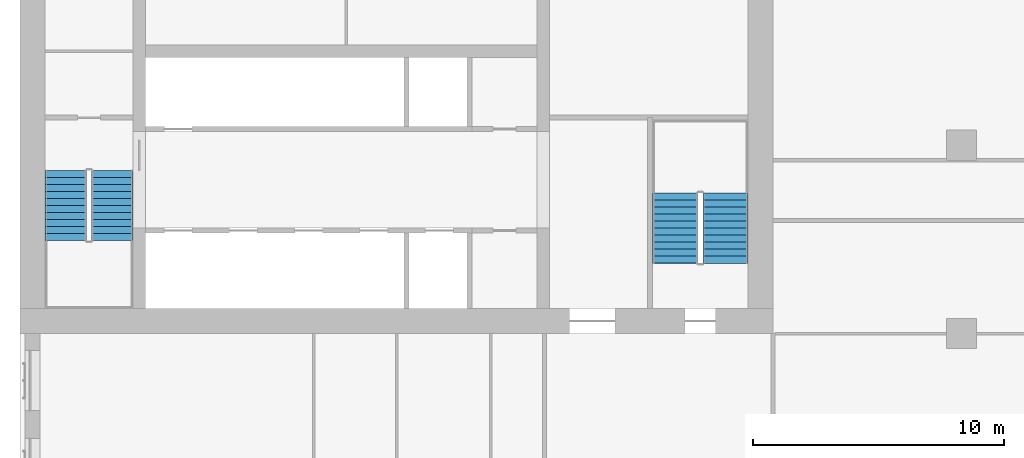
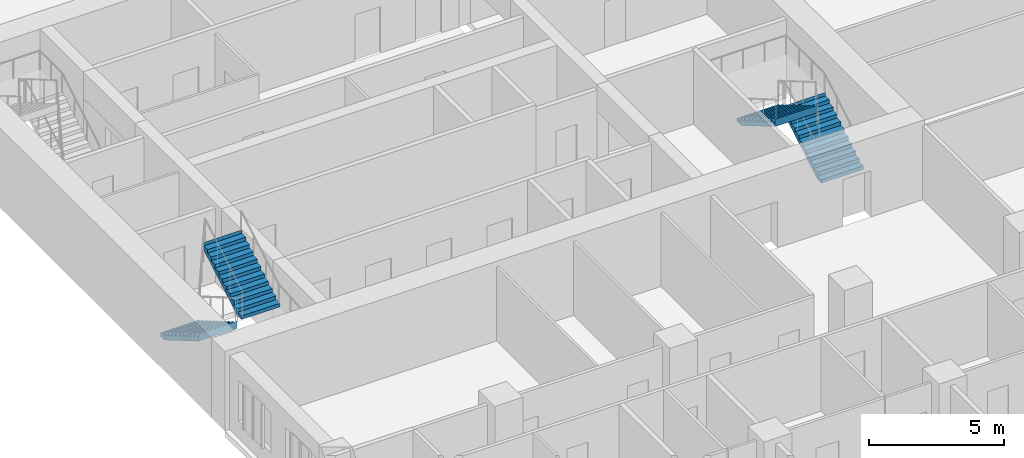
# One storey, part 12 of 14: 4 stair flights, 2 elements without a shape of their own.
"""IFC4 building model written with IfcOpenShell, lengths in metres."""

from ifc_helpers import new_model, si_unit, direction, frame, origin, place, context, subcontext, project, spatial, polyline, outline, extrude, material, type_object, element, aggregate, save


model = new_model("IFC4")

# Units and contexts
model_context = context("Model", 3, precision=1e-05, world=origin(), true_north=direction((0.0, 1.0)))
body_context = subcontext(model_context, "Body", "Model", "MODEL_VIEW")
ifc_project = project(units=[si_unit("LENGTHUNIT", "METRE"), si_unit("AREAUNIT", "SQUARE_METRE"), si_unit("VOLUMEUNIT", "CUBIC_METRE"), si_unit("PLANEANGLEUNIT", "RADIAN"), si_unit("MASSUNIT", "GRAM", prefix="KILO")], contexts=[model_context])

# Site, building, storey
site_placement = place(None, origin())
site = spatial("IfcSite", under=ifc_project, at=site_placement, CompositionType="ELEMENT")
building_placement = place(site_placement, origin())
building = spatial("IfcBuilding", under=site, at=building_placement, Name="Tamorin Gate", CompositionType="ELEMENT")
storey_placement = place(building_placement, frame((0.0, 0.0, 44.800048828125)))
storey = spatial("IfcBuildingStorey", under=building, at=storey_placement, Name="L09", CompositionType="ELEMENT", Elevation=44.800048828125)

# Stair, stair flights
ifc_material = material(Name="Concrete C40/50", Category="concrete")
stair_type = type_object("IfcStairType", Name="Exit stair", PredefinedType="HALF_TURN_STAIR", material=ifc_material)
stair_1_placement = place(storey_placement, origin())
stair_1 = element("IfcStair", 1, at=stair_1_placement, inside=storey, type_object=stair_type, Name="L09 stair ST1", PredefinedType="HALF_TURN_STAIR")
stair_flight_type = type_object("IfcStairFlightType", Name="Exit stair flight", PredefinedType="STRAIGHT", material=ifc_material)
stair_flight_1_placement = place(storey_placement, frame((31.824951171875, 66.5, 0.0), z_axis=(0.0, 0.0, 1.0), x_axis=(0.0, -1.0, 0.0)))
stair_flight_1 = element("IfcStairFlight", 2, at=stair_flight_1_placement, type_object=stair_flight_type, Name="ST1 flight 1", NumberOfRisers=11, NumberOfTreads=10, PredefinedType="STRAIGHT", RiserHeight=0.163636364, TreadLength=0.28, context=body_context, shape_type="SweptSolid", body=[
    extrude(outline(polyline([(-0.00048828125, 0.0), (-0.00048828125, 0.001708984375), (-0.00048828125, 0.003173828125), (-0.00048828125, 0.0048828125), (-0.00048828125, 0.006591796875), (-0.00048828125, 0.008056640625), (-0.00048828125, 0.009765625), (-0.00048828125, 0.01123046875), (-0.00048828125, 0.012939453125), (-0.00048828125, 0.0146484375), (-0.00048828125, 0.01611328125), (-0.00048828125, 0.017822265625), (-0.00048828125, 0.01953125), (-0.00048828125, 0.02099609375), (-0.00048828125, 0.022705078125), (-0.00048828125, 0.0244140625), (-0.00048828125, 0.02587890625), (-0.00048828125, 0.027587890625), (-0.00048828125, 0.029052734375), (-0.00048828125, 0.03076171875), (-0.00048828125, 0.032470703125), (-0.00048828125, 0.033935546875), (-0.00048828125, 0.03564453125), (-0.00048828125, 0.037353515625), (-0.00048828125, 0.038818359375), (-0.00048828125, 0.04052734375), (-0.00048828125, 0.042236328125), (-0.00048828125, 0.043701171875), (-0.00048828125, 0.04541015625), (-0.00048828125, 0.046875), (-0.00048828125, 0.048583984375), (-0.00048828125, 0.05029296875), (-0.00048828125, 0.0517578125), (-0.00048828125, 0.053466796875), (-0.00048828125, 0.05517578125), (-0.00048828125, 0.056640625), (-0.00048828125, 0.058349609375), (-0.00048828125, 0.06005859375), (-0.00048828125, 0.0615234375), (-0.00048828125, 0.063232421875), (-0.00048828125, 0.064697265625), (-0.00048828125, 0.06640625), (-0.00048828125, 0.068115234375), (-0.00048828125, 0.069580078125), (-0.00048828125, 0.0712890625), (-0.00048828125, 0.072998046875), (-0.00048828125, 0.074462890625), (-0.00048828125, 0.076171875), (-0.00048828125, 0.077880859375), (-0.00048828125, 0.079345703125), (-0.00048828125, 0.0810546875), (-0.00048828125, 0.08251953125), (-0.00048828125, 0.084228515625), (-0.00048828125, 0.0859375), (-0.00048828125, 0.08740234375), (-0.00048828125, 0.089111328125), (-0.00048828125, 0.0908203125), (-0.00048828125, 0.09228515625), (-0.00048828125, 0.093994140625), (-0.00048828125, 0.095703125), (-0.00048828125, 0.09716796875), (-0.00048828125, 0.098876953125), (-0.00048828125, 0.100341796875), (-0.00048828125, 0.10205078125), (-0.00048828125, 0.103759765625), (-0.00048828125, 0.105224609375), (-0.00048828125, 0.10693359375), (-0.00048828125, 0.108642578125), (-0.00048828125, 0.110107421875), (-0.00048828125, 0.11181640625), (-0.00048828125, 0.113525390625), (-0.00048828125, 0.114990234375), (-0.00048828125, 0.11669921875), (-0.00048828125, 0.1181640625), (-0.00048828125, 0.119873046875), (-0.00048828125, 0.12158203125), (-0.00048828125, 0.123046875), (-0.00048828125, 0.124755859375), (-0.00048828125, 0.12646484375), (-0.00048828125, 0.1279296875), (-0.00048828125, 0.129638671875), (-0.00048828125, 0.13134765625), (-0.00048828125, 0.1328125), (-0.00048828125, 0.134521484375), (-0.00048828125, 0.135986328125), (-0.00048828125, 0.1376953125), (-0.00048828125, 0.139404296875), (-0.00048828125, 0.140869140625), (-0.00048828125, 0.142578125), (-0.00048828125, 0.144287109375), (-0.00048828125, 0.145751953125), (-0.00048828125, 0.1474609375), (-0.00048828125, 0.149169921875), (-0.00048828125, 0.150634765625), (-0.00048828125, 0.15234375), (-0.00048828125, 0.15380859375), (-0.00048828125, 0.155517578125), (-0.00048828125, 0.1572265625), (-0.00048828125, 0.15869140625), (-0.00048828125, 0.160400390625), (-0.00048828125, 0.162109375), (-0.00048828125, 0.16357421875), (0.280029296875, 0.16357421875), (0.280029296875, 0.327392578125), (0.56005859375, 0.327392578125), (0.56005859375, 0.490966796875), (0.840087890625, 0.490966796875), (0.840087890625, 0.654541015625), (1.1201171875, 0.654541015625), (1.1201171875, 0.818115234375), (1.39990234375, 0.818115234375), (1.39990234375, 0.98193359375), (1.679931640625, 0.98193359375), (1.679931640625, 1.1455078125), (1.9599609375, 1.1455078125), (1.9599609375, 1.30908203125), (2.239990234375, 1.30908203125), (2.239990234375, 1.47265625), (2.52001953125, 1.47265625), (2.52001953125, 1.636474609375), (2.800048828125, 1.636474609375), (2.800048828125, 1.800048828125), (2.800537109375, 1.800048828125), (2.800537109375, 1.796630859375), (2.800537109375, 1.793212890625), (2.800537109375, 1.7900390625), (2.800537109375, 1.78662109375), (2.800537109375, 1.783203125), (2.800537109375, 1.780029296875), (2.800537109375, 1.776611328125), (2.800537109375, 1.773193359375), (2.800537109375, 1.77001953125), (2.800537109375, 1.7666015625), (2.800537109375, 1.76318359375), (2.800537109375, 1.760009765625), (2.800537109375, 1.756591796875), (2.800537109375, 1.753173828125), (2.800537109375, 1.75), (2.800537109375, 1.74658203125), (2.800537109375, 1.7431640625), (2.800537109375, 1.739990234375), (2.800537109375, 1.736572265625), (2.800537109375, 1.733154296875), (2.800537109375, 1.72998046875), (2.800537109375, 1.7265625), (2.800537109375, 1.72314453125), (2.800537109375, 1.719970703125), (2.800537109375, 1.716552734375), (2.800537109375, 1.713134765625), (2.800537109375, 1.7099609375), (2.800537109375, 1.70654296875), (2.800537109375, 1.703125), (2.800537109375, 1.69970703125), (2.800537109375, 1.696533203125), (2.800537109375, 1.693115234375), (2.800537109375, 1.689697265625), (2.800537109375, 1.6865234375), (2.800537109375, 1.68310546875), (2.800537109375, 1.6796875), (2.800537109375, 1.676513671875), (2.800537109375, 1.673095703125), (2.800537109375, 1.669677734375), (2.800537109375, 1.66650390625), (2.800537109375, 1.6630859375), (2.800537109375, 1.65966796875), (2.800537109375, 1.656494140625), (2.800537109375, 1.653076171875), (2.800537109375, 1.649658203125), (2.800537109375, 1.646484375), (2.800537109375, 1.64306640625), (2.800537109375, 1.6396484375), (2.800537109375, 1.636474609375), (2.800537109375, 1.633056640625), (2.800537109375, 1.629638671875), (2.800537109375, 1.62646484375), (2.800537109375, 1.623046875), (2.800537109375, 1.61962890625), (2.800537109375, 1.616455078125), (2.800537109375, 1.613037109375), (2.800537109375, 1.609619140625), (2.800537109375, 1.6064453125), (2.800537109375, 1.60302734375), (2.800537109375, 1.599609375), (2.800537109375, 1.59619140625), (2.800537109375, 1.593017578125), (2.800537109375, 1.589599609375), (2.800537109375, 1.586181640625), (2.800537109375, 1.5830078125), (2.800537109375, 1.57958984375), (2.800537109375, 1.576171875), (2.800537109375, 1.572998046875), (2.800537109375, 1.569580078125), (2.800537109375, 1.566162109375), (2.800537109375, 1.56298828125), (2.800537109375, 1.5595703125), (2.800537109375, 1.55615234375), (2.800537109375, 1.552978515625), (2.800537109375, 1.549560546875), (2.800537109375, 1.546142578125), (2.800537109375, 1.54296875), (2.800537109375, 1.53955078125), (2.800537109375, 1.5361328125), (2.800537109375, 1.532958984375), (2.800537109375, 1.529541015625), (2.800537109375, 1.526123046875), (2.800537109375, 1.52294921875), (2.800537109375, 1.51953125), (2.800537109375, 1.51611328125), (2.800537109375, 1.512939453125), (2.800537109375, 1.509521484375), (2.800537109375, 1.506103515625), (2.800537109375, 1.5029296875), (2.800537109375, 1.49951171875), (2.800537109375, 1.49609375), (2.800537109375, 1.49267578125), (2.800537109375, 1.489501953125), (2.800537109375, 1.486083984375), (2.800537109375, 1.482666015625), (2.800537109375, 1.4794921875), (2.800537109375, 1.47607421875), (2.800537109375, 1.47265625), (2.800537109375, 1.469482421875), (2.800537109375, 1.466064453125), (2.800537109375, 1.462646484375), (2.800048828125, 1.462646484375), (0.297119140625, 0.0), (-0.00048828125, 0.0)])), frame((0.0, 0.824951171875, 0.0), z_axis=(0.0, -1.0, 0.0), x_axis=(1.0, 0.0, 0.0)), (0.0, 0.0, 1.0), 1.64990234375),
])
stair_flight_2_placement = place(storey_placement, frame((33.675048828125, 63.699951171875, 1.800048828125), z_axis=(0.0, 0.0, 1.0), x_axis=(0.0, 1.0, 0.0)))
stair_flight_2 = element("IfcStairFlight", 3, at=stair_flight_2_placement, type_object=stair_flight_type, Name="ST1 flight 2", NumberOfRisers=11, NumberOfTreads=10, PredefinedType="STRAIGHT", RiserHeight=0.163636364, TreadLength=0.28, context=body_context, shape_type="SweptSolid", body=[
    extrude(outline(polyline([(-0.00048828125, 0.0), (-0.00048828125, 0.001708984375), (-0.00048828125, 0.003173828125), (-0.00048828125, 0.0048828125), (-0.00048828125, 0.006591796875), (-0.00048828125, 0.008056640625), (-0.00048828125, 0.009765625), (-0.00048828125, 0.01123046875), (-0.00048828125, 0.012939453125), (-0.00048828125, 0.0146484375), (-0.00048828125, 0.01611328125), (-0.00048828125, 0.017822265625), (-0.00048828125, 0.01953125), (-0.00048828125, 0.02099609375), (-0.00048828125, 0.022705078125), (-0.00048828125, 0.0244140625), (-0.00048828125, 0.02587890625), (-0.00048828125, 0.027587890625), (-0.00048828125, 0.029052734375), (-0.00048828125, 0.03076171875), (-0.00048828125, 0.032470703125), (-0.00048828125, 0.033935546875), (-0.00048828125, 0.03564453125), (-0.00048828125, 0.037353515625), (-0.00048828125, 0.038818359375), (-0.00048828125, 0.04052734375), (-0.00048828125, 0.042236328125), (-0.00048828125, 0.043701171875), (-0.00048828125, 0.04541015625), (-0.00048828125, 0.046875), (-0.00048828125, 0.048583984375), (-0.00048828125, 0.05029296875), (-0.00048828125, 0.0517578125), (-0.00048828125, 0.053466796875), (-0.00048828125, 0.05517578125), (-0.00048828125, 0.056640625), (-0.00048828125, 0.058349609375), (-0.00048828125, 0.06005859375), (-0.00048828125, 0.0615234375), (-0.00048828125, 0.063232421875), (-0.00048828125, 0.064697265625), (-0.00048828125, 0.06640625), (-0.00048828125, 0.068115234375), (-0.00048828125, 0.069580078125), (-0.00048828125, 0.0712890625), (-0.00048828125, 0.072998046875), (-0.00048828125, 0.074462890625), (-0.00048828125, 0.076171875), (-0.00048828125, 0.077880859375), (-0.00048828125, 0.079345703125), (-0.00048828125, 0.0810546875), (-0.00048828125, 0.08251953125), (-0.00048828125, 0.084228515625), (-0.00048828125, 0.0859375), (-0.00048828125, 0.08740234375), (-0.00048828125, 0.089111328125), (-0.00048828125, 0.0908203125), (-0.00048828125, 0.09228515625), (-0.00048828125, 0.093994140625), (-0.00048828125, 0.095703125), (-0.00048828125, 0.09716796875), (-0.00048828125, 0.098876953125), (-0.00048828125, 0.100341796875), (-0.00048828125, 0.10205078125), (-0.00048828125, 0.103759765625), (-0.00048828125, 0.105224609375), (-0.00048828125, 0.10693359375), (-0.00048828125, 0.108642578125), (-0.00048828125, 0.110107421875), (-0.00048828125, 0.11181640625), (-0.00048828125, 0.113525390625), (-0.00048828125, 0.114990234375), (-0.00048828125, 0.11669921875), (-0.00048828125, 0.1181640625), (-0.00048828125, 0.119873046875), (-0.00048828125, 0.12158203125), (-0.00048828125, 0.123046875), (-0.00048828125, 0.124755859375), (-0.00048828125, 0.12646484375), (-0.00048828125, 0.1279296875), (-0.00048828125, 0.129638671875), (-0.00048828125, 0.13134765625), (-0.00048828125, 0.1328125), (-0.00048828125, 0.134521484375), (-0.00048828125, 0.135986328125), (-0.00048828125, 0.1376953125), (-0.00048828125, 0.139404296875), (-0.00048828125, 0.140869140625), (-0.00048828125, 0.142578125), (-0.00048828125, 0.144287109375), (-0.00048828125, 0.145751953125), (-0.00048828125, 0.1474609375), (-0.00048828125, 0.149169921875), (-0.00048828125, 0.150634765625), (-0.00048828125, 0.15234375), (-0.00048828125, 0.15380859375), (-0.00048828125, 0.155517578125), (-0.00048828125, 0.1572265625), (-0.00048828125, 0.15869140625), (-0.00048828125, 0.160400390625), (-0.00048828125, 0.162109375), (-0.00048828125, 0.16357421875), (0.280029296875, 0.16357421875), (0.280029296875, 0.327392578125), (0.56005859375, 0.327392578125), (0.56005859375, 0.490966796875), (0.840087890625, 0.490966796875), (0.840087890625, 0.654541015625), (1.1201171875, 0.654541015625), (1.1201171875, 0.818115234375), (1.39990234375, 0.818115234375), (1.39990234375, 0.98193359375), (1.679931640625, 0.98193359375), (1.679931640625, 1.1455078125), (1.9599609375, 1.1455078125), (1.9599609375, 1.30908203125), (2.239990234375, 1.30908203125), (2.239990234375, 1.47265625), (2.52001953125, 1.47265625), (2.52001953125, 1.636474609375), (2.800048828125, 1.636474609375), (2.800048828125, 1.800048828125), (2.800537109375, 1.800048828125), (2.800537109375, 1.796630859375), (2.800537109375, 1.793212890625), (2.800537109375, 1.7900390625), (2.800537109375, 1.78662109375), (2.800537109375, 1.783203125), (2.800537109375, 1.780029296875), (2.800537109375, 1.776611328125), (2.800537109375, 1.773193359375), (2.800537109375, 1.77001953125), (2.800537109375, 1.7666015625), (2.800537109375, 1.76318359375), (2.800537109375, 1.760009765625), (2.800537109375, 1.756591796875), (2.800537109375, 1.753173828125), (2.800537109375, 1.75), (2.800537109375, 1.74658203125), (2.800537109375, 1.7431640625), (2.800537109375, 1.739990234375), (2.800537109375, 1.736572265625), (2.800537109375, 1.733154296875), (2.800537109375, 1.72998046875), (2.800537109375, 1.7265625), (2.800537109375, 1.72314453125), (2.800537109375, 1.719970703125), (2.800537109375, 1.716552734375), (2.800537109375, 1.713134765625), (2.800537109375, 1.7099609375), (2.800537109375, 1.70654296875), (2.800537109375, 1.703125), (2.800537109375, 1.69970703125), (2.800537109375, 1.696533203125), (2.800537109375, 1.693115234375), (2.800537109375, 1.689697265625), (2.800537109375, 1.6865234375), (2.800537109375, 1.68310546875), (2.800537109375, 1.6796875), (2.800537109375, 1.676513671875), (2.800537109375, 1.673095703125), (2.800537109375, 1.669677734375), (2.800537109375, 1.66650390625), (2.800537109375, 1.6630859375), (2.800537109375, 1.65966796875), (2.800537109375, 1.656494140625), (2.800537109375, 1.653076171875), (2.800537109375, 1.649658203125), (2.800537109375, 1.646484375), (2.800537109375, 1.64306640625), (2.800537109375, 1.6396484375), (2.800537109375, 1.636474609375), (2.800537109375, 1.633056640625), (2.800537109375, 1.629638671875), (2.800537109375, 1.62646484375), (2.800537109375, 1.623046875), (2.800537109375, 1.61962890625), (2.800537109375, 1.616455078125), (2.800537109375, 1.613037109375), (2.800537109375, 1.609619140625), (2.800537109375, 1.6064453125), (2.800537109375, 1.60302734375), (2.800537109375, 1.599609375), (2.800537109375, 1.59619140625), (2.800537109375, 1.593017578125), (2.800537109375, 1.589599609375), (2.800537109375, 1.586181640625), (2.800537109375, 1.5830078125), (2.800537109375, 1.57958984375), (2.800537109375, 1.576171875), (2.800537109375, 1.572998046875), (2.800537109375, 1.569580078125), (2.800537109375, 1.566162109375), (2.800537109375, 1.56298828125), (2.800537109375, 1.5595703125), (2.800537109375, 1.55615234375), (2.800537109375, 1.552978515625), (2.800537109375, 1.549560546875), (2.800537109375, 1.546142578125), (2.800537109375, 1.54296875), (2.800537109375, 1.53955078125), (2.800537109375, 1.5361328125), (2.800537109375, 1.532958984375), (2.800537109375, 1.529541015625), (2.800537109375, 1.526123046875), (2.800537109375, 1.52294921875), (2.800537109375, 1.51953125), (2.800537109375, 1.51611328125), (2.800537109375, 1.512939453125), (2.800537109375, 1.509521484375), (2.800537109375, 1.506103515625), (2.800537109375, 1.5029296875), (2.800537109375, 1.49951171875), (2.800537109375, 1.49609375), (2.800537109375, 1.49267578125), (2.800537109375, 1.489501953125), (2.800537109375, 1.486083984375), (2.800537109375, 1.482666015625), (2.800537109375, 1.4794921875), (2.800537109375, 1.47607421875), (2.800537109375, 1.47265625), (2.800537109375, 1.469482421875), (2.800537109375, 1.466064453125), (2.800537109375, 1.462646484375), (2.800048828125, 1.462646484375), (0.297119140625, 0.0), (-0.00048828125, 0.0)])), frame((0.0, 0.824951171875, 0.0), z_axis=(0.0, -1.0, 0.0), x_axis=(1.0, 0.0, 0.0)), (0.0, 0.0, 1.0), 1.64990234375),
])
aggregate(stair_1, [stair_flight_1, stair_flight_2])

stair_2_placement = place(storey_placement, origin())
stair_2 = element("IfcStair", 4, at=stair_2_placement, inside=storey, type_object=stair_type, Name="L09 stair ST3", PredefinedType="HALF_TURN_STAIR")
stair_flight_3_placement = place(storey_placement, frame((58.10009765625, 62.800048828125, 0.0), z_axis=(0.0, 0.0, 1.0), x_axis=(0.0, 1.0, 0.0)))
stair_flight_3 = element("IfcStairFlight", 5, at=stair_flight_3_placement, type_object=stair_flight_type, Name="ST3 flight 1", NumberOfRisers=11, NumberOfTreads=10, PredefinedType="STRAIGHT", RiserHeight=0.163636364, TreadLength=0.28, context=body_context, shape_type="SweptSolid", body=[
    extrude(outline(polyline([(-0.00048828125, 0.0), (-0.00048828125, 0.001708984375), (-0.00048828125, 0.003173828125), (-0.00048828125, 0.0048828125), (-0.00048828125, 0.006591796875), (-0.00048828125, 0.008056640625), (-0.00048828125, 0.009765625), (-0.00048828125, 0.01123046875), (-0.00048828125, 0.012939453125), (-0.00048828125, 0.0146484375), (-0.00048828125, 0.01611328125), (-0.00048828125, 0.017822265625), (-0.00048828125, 0.01953125), (-0.00048828125, 0.02099609375), (-0.00048828125, 0.022705078125), (-0.00048828125, 0.0244140625), (-0.00048828125, 0.02587890625), (-0.00048828125, 0.027587890625), (-0.00048828125, 0.029052734375), (-0.00048828125, 0.03076171875), (-0.00048828125, 0.032470703125), (-0.00048828125, 0.033935546875), (-0.00048828125, 0.03564453125), (-0.00048828125, 0.037353515625), (-0.00048828125, 0.038818359375), (-0.00048828125, 0.04052734375), (-0.00048828125, 0.042236328125), (-0.00048828125, 0.043701171875), (-0.00048828125, 0.04541015625), (-0.00048828125, 0.046875), (-0.00048828125, 0.048583984375), (-0.00048828125, 0.05029296875), (-0.00048828125, 0.0517578125), (-0.00048828125, 0.053466796875), (-0.00048828125, 0.05517578125), (-0.00048828125, 0.056640625), (-0.00048828125, 0.058349609375), (-0.00048828125, 0.06005859375), (-0.00048828125, 0.0615234375), (-0.00048828125, 0.063232421875), (-0.00048828125, 0.064697265625), (-0.00048828125, 0.06640625), (-0.00048828125, 0.068115234375), (-0.00048828125, 0.069580078125), (-0.00048828125, 0.0712890625), (-0.00048828125, 0.072998046875), (-0.00048828125, 0.074462890625), (-0.00048828125, 0.076171875), (-0.00048828125, 0.077880859375), (-0.00048828125, 0.079345703125), (-0.00048828125, 0.0810546875), (-0.00048828125, 0.08251953125), (-0.00048828125, 0.084228515625), (-0.00048828125, 0.0859375), (-0.00048828125, 0.08740234375), (-0.00048828125, 0.089111328125), (-0.00048828125, 0.0908203125), (-0.00048828125, 0.09228515625), (-0.00048828125, 0.093994140625), (-0.00048828125, 0.095703125), (-0.00048828125, 0.09716796875), (-0.00048828125, 0.098876953125), (-0.00048828125, 0.100341796875), (-0.00048828125, 0.10205078125), (-0.00048828125, 0.103759765625), (-0.00048828125, 0.105224609375), (-0.00048828125, 0.10693359375), (-0.00048828125, 0.108642578125), (-0.00048828125, 0.110107421875), (-0.00048828125, 0.11181640625), (-0.00048828125, 0.113525390625), (-0.00048828125, 0.114990234375), (-0.00048828125, 0.11669921875), (-0.00048828125, 0.1181640625), (-0.00048828125, 0.119873046875), (-0.00048828125, 0.12158203125), (-0.00048828125, 0.123046875), (-0.00048828125, 0.124755859375), (-0.00048828125, 0.12646484375), (-0.00048828125, 0.1279296875), (-0.00048828125, 0.129638671875), (-0.00048828125, 0.13134765625), (-0.00048828125, 0.1328125), (-0.00048828125, 0.134521484375), (-0.00048828125, 0.135986328125), (-0.00048828125, 0.1376953125), (-0.00048828125, 0.139404296875), (-0.00048828125, 0.140869140625), (-0.00048828125, 0.142578125), (-0.00048828125, 0.144287109375), (-0.00048828125, 0.145751953125), (-0.00048828125, 0.1474609375), (-0.00048828125, 0.149169921875), (-0.00048828125, 0.150634765625), (-0.00048828125, 0.15234375), (-0.00048828125, 0.15380859375), (-0.00048828125, 0.155517578125), (-0.00048828125, 0.1572265625), (-0.00048828125, 0.15869140625), (-0.00048828125, 0.160400390625), (-0.00048828125, 0.162109375), (-0.00048828125, 0.16357421875), (0.280029296875, 0.16357421875), (0.280029296875, 0.327392578125), (0.56005859375, 0.327392578125), (0.56005859375, 0.490966796875), (0.840087890625, 0.490966796875), (0.840087890625, 0.654541015625), (1.1201171875, 0.654541015625), (1.1201171875, 0.818115234375), (1.39990234375, 0.818115234375), (1.39990234375, 0.98193359375), (1.679931640625, 0.98193359375), (1.679931640625, 1.1455078125), (1.9599609375, 1.1455078125), (1.9599609375, 1.30908203125), (2.239990234375, 1.30908203125), (2.239990234375, 1.47265625), (2.52001953125, 1.47265625), (2.52001953125, 1.636474609375), (2.800048828125, 1.636474609375), (2.800048828125, 1.800048828125), (2.800537109375, 1.800048828125), (2.800537109375, 1.796630859375), (2.800537109375, 1.793212890625), (2.800537109375, 1.7900390625), (2.800537109375, 1.78662109375), (2.800537109375, 1.783203125), (2.800537109375, 1.780029296875), (2.800537109375, 1.776611328125), (2.800537109375, 1.773193359375), (2.800537109375, 1.77001953125), (2.800537109375, 1.7666015625), (2.800537109375, 1.76318359375), (2.800537109375, 1.760009765625), (2.800537109375, 1.756591796875), (2.800537109375, 1.753173828125), (2.800537109375, 1.75), (2.800537109375, 1.74658203125), (2.800537109375, 1.7431640625), (2.800537109375, 1.739990234375), (2.800537109375, 1.736572265625), (2.800537109375, 1.733154296875), (2.800537109375, 1.72998046875), (2.800537109375, 1.7265625), (2.800537109375, 1.72314453125), (2.800537109375, 1.719970703125), (2.800537109375, 1.716552734375), (2.800537109375, 1.713134765625), (2.800537109375, 1.7099609375), (2.800537109375, 1.70654296875), (2.800537109375, 1.703125), (2.800537109375, 1.69970703125), (2.800537109375, 1.696533203125), (2.800537109375, 1.693115234375), (2.800537109375, 1.689697265625), (2.800537109375, 1.6865234375), (2.800537109375, 1.68310546875), (2.800537109375, 1.6796875), (2.800537109375, 1.676513671875), (2.800537109375, 1.673095703125), (2.800537109375, 1.669677734375), (2.800537109375, 1.66650390625), (2.800537109375, 1.6630859375), (2.800537109375, 1.65966796875), (2.800537109375, 1.656494140625), (2.800537109375, 1.653076171875), (2.800537109375, 1.649658203125), (2.800537109375, 1.646484375), (2.800537109375, 1.64306640625), (2.800537109375, 1.6396484375), (2.800537109375, 1.636474609375), (2.800537109375, 1.633056640625), (2.800537109375, 1.629638671875), (2.800537109375, 1.62646484375), (2.800537109375, 1.623046875), (2.800537109375, 1.61962890625), (2.800537109375, 1.616455078125), (2.800537109375, 1.613037109375), (2.800537109375, 1.609619140625), (2.800537109375, 1.6064453125), (2.800537109375, 1.60302734375), (2.800537109375, 1.599609375), (2.800537109375, 1.59619140625), (2.800537109375, 1.593017578125), (2.800537109375, 1.589599609375), (2.800537109375, 1.586181640625), (2.800537109375, 1.5830078125), (2.800537109375, 1.57958984375), (2.800537109375, 1.576171875), (2.800537109375, 1.572998046875), (2.800537109375, 1.569580078125), (2.800537109375, 1.566162109375), (2.800537109375, 1.56298828125), (2.800537109375, 1.5595703125), (2.800537109375, 1.55615234375), (2.800537109375, 1.552978515625), (2.800537109375, 1.549560546875), (2.800537109375, 1.546142578125), (2.800537109375, 1.54296875), (2.800537109375, 1.53955078125), (2.800537109375, 1.5361328125), (2.800537109375, 1.532958984375), (2.800537109375, 1.529541015625), (2.800537109375, 1.526123046875), (2.800537109375, 1.52294921875), (2.800537109375, 1.51953125), (2.800537109375, 1.51611328125), (2.800537109375, 1.512939453125), (2.800537109375, 1.509521484375), (2.800537109375, 1.506103515625), (2.800537109375, 1.5029296875), (2.800537109375, 1.49951171875), (2.800537109375, 1.49609375), (2.800537109375, 1.49267578125), (2.800537109375, 1.489501953125), (2.800537109375, 1.486083984375), (2.800537109375, 1.482666015625), (2.800537109375, 1.4794921875), (2.800537109375, 1.47607421875), (2.800537109375, 1.47265625), (2.800537109375, 1.469482421875), (2.800537109375, 1.466064453125), (2.800537109375, 1.462646484375), (2.800048828125, 1.462646484375), (0.297119140625, 0.0), (-0.00048828125, 0.0)])), frame((0.0, 0.89990234375, 0.0), z_axis=(0.0, -1.0, 0.0), x_axis=(1.0, 0.0, 0.0)), (0.0, 0.0, 1.0), 1.800048828125),
])
stair_flight_4_placement = place(storey_placement, frame((56.10009765625, 65.60009765625, 1.800048828125), z_axis=(0.0, 0.0, 1.0), x_axis=(0.0, -1.0, 0.0)))
stair_flight_4 = element("IfcStairFlight", 6, at=stair_flight_4_placement, type_object=stair_flight_type, Name="ST3 flight 2", NumberOfRisers=11, NumberOfTreads=10, PredefinedType="STRAIGHT", RiserHeight=0.163636364, TreadLength=0.28, context=body_context, shape_type="SweptSolid", body=[
    extrude(outline(polyline([(-0.00048828125, 0.0), (-0.00048828125, 0.001708984375), (-0.00048828125, 0.003173828125), (-0.00048828125, 0.0048828125), (-0.00048828125, 0.006591796875), (-0.00048828125, 0.008056640625), (-0.00048828125, 0.009765625), (-0.00048828125, 0.01123046875), (-0.00048828125, 0.012939453125), (-0.00048828125, 0.0146484375), (-0.00048828125, 0.01611328125), (-0.00048828125, 0.017822265625), (-0.00048828125, 0.01953125), (-0.00048828125, 0.02099609375), (-0.00048828125, 0.022705078125), (-0.00048828125, 0.0244140625), (-0.00048828125, 0.02587890625), (-0.00048828125, 0.027587890625), (-0.00048828125, 0.029052734375), (-0.00048828125, 0.03076171875), (-0.00048828125, 0.032470703125), (-0.00048828125, 0.033935546875), (-0.00048828125, 0.03564453125), (-0.00048828125, 0.037353515625), (-0.00048828125, 0.038818359375), (-0.00048828125, 0.04052734375), (-0.00048828125, 0.042236328125), (-0.00048828125, 0.043701171875), (-0.00048828125, 0.04541015625), (-0.00048828125, 0.046875), (-0.00048828125, 0.048583984375), (-0.00048828125, 0.05029296875), (-0.00048828125, 0.0517578125), (-0.00048828125, 0.053466796875), (-0.00048828125, 0.05517578125), (-0.00048828125, 0.056640625), (-0.00048828125, 0.058349609375), (-0.00048828125, 0.06005859375), (-0.00048828125, 0.0615234375), (-0.00048828125, 0.063232421875), (-0.00048828125, 0.064697265625), (-0.00048828125, 0.06640625), (-0.00048828125, 0.068115234375), (-0.00048828125, 0.069580078125), (-0.00048828125, 0.0712890625), (-0.00048828125, 0.072998046875), (-0.00048828125, 0.074462890625), (-0.00048828125, 0.076171875), (-0.00048828125, 0.077880859375), (-0.00048828125, 0.079345703125), (-0.00048828125, 0.0810546875), (-0.00048828125, 0.08251953125), (-0.00048828125, 0.084228515625), (-0.00048828125, 0.0859375), (-0.00048828125, 0.08740234375), (-0.00048828125, 0.089111328125), (-0.00048828125, 0.0908203125), (-0.00048828125, 0.09228515625), (-0.00048828125, 0.093994140625), (-0.00048828125, 0.095703125), (-0.00048828125, 0.09716796875), (-0.00048828125, 0.098876953125), (-0.00048828125, 0.100341796875), (-0.00048828125, 0.10205078125), (-0.00048828125, 0.103759765625), (-0.00048828125, 0.105224609375), (-0.00048828125, 0.10693359375), (-0.00048828125, 0.108642578125), (-0.00048828125, 0.110107421875), (-0.00048828125, 0.11181640625), (-0.00048828125, 0.113525390625), (-0.00048828125, 0.114990234375), (-0.00048828125, 0.11669921875), (-0.00048828125, 0.1181640625), (-0.00048828125, 0.119873046875), (-0.00048828125, 0.12158203125), (-0.00048828125, 0.123046875), (-0.00048828125, 0.124755859375), (-0.00048828125, 0.12646484375), (-0.00048828125, 0.1279296875), (-0.00048828125, 0.129638671875), (-0.00048828125, 0.13134765625), (-0.00048828125, 0.1328125), (-0.00048828125, 0.134521484375), (-0.00048828125, 0.135986328125), (-0.00048828125, 0.1376953125), (-0.00048828125, 0.139404296875), (-0.00048828125, 0.140869140625), (-0.00048828125, 0.142578125), (-0.00048828125, 0.144287109375), (-0.00048828125, 0.145751953125), (-0.00048828125, 0.1474609375), (-0.00048828125, 0.149169921875), (-0.00048828125, 0.150634765625), (-0.00048828125, 0.15234375), (-0.00048828125, 0.15380859375), (-0.00048828125, 0.155517578125), (-0.00048828125, 0.1572265625), (-0.00048828125, 0.15869140625), (-0.00048828125, 0.160400390625), (-0.00048828125, 0.162109375), (-0.00048828125, 0.16357421875), (0.280029296875, 0.16357421875), (0.280029296875, 0.327392578125), (0.56005859375, 0.327392578125), (0.56005859375, 0.490966796875), (0.840087890625, 0.490966796875), (0.840087890625, 0.654541015625), (1.1201171875, 0.654541015625), (1.1201171875, 0.818115234375), (1.39990234375, 0.818115234375), (1.39990234375, 0.98193359375), (1.679931640625, 0.98193359375), (1.679931640625, 1.1455078125), (1.9599609375, 1.1455078125), (1.9599609375, 1.30908203125), (2.239990234375, 1.30908203125), (2.239990234375, 1.47265625), (2.52001953125, 1.47265625), (2.52001953125, 1.636474609375), (2.800048828125, 1.636474609375), (2.800048828125, 1.800048828125), (2.800537109375, 1.800048828125), (2.800537109375, 1.796630859375), (2.800537109375, 1.793212890625), (2.800537109375, 1.7900390625), (2.800537109375, 1.78662109375), (2.800537109375, 1.783203125), (2.800537109375, 1.780029296875), (2.800537109375, 1.776611328125), (2.800537109375, 1.773193359375), (2.800537109375, 1.77001953125), (2.800537109375, 1.7666015625), (2.800537109375, 1.76318359375), (2.800537109375, 1.760009765625), (2.800537109375, 1.756591796875), (2.800537109375, 1.753173828125), (2.800537109375, 1.75), (2.800537109375, 1.74658203125), (2.800537109375, 1.7431640625), (2.800537109375, 1.739990234375), (2.800537109375, 1.736572265625), (2.800537109375, 1.733154296875), (2.800537109375, 1.72998046875), (2.800537109375, 1.7265625), (2.800537109375, 1.72314453125), (2.800537109375, 1.719970703125), (2.800537109375, 1.716552734375), (2.800537109375, 1.713134765625), (2.800537109375, 1.7099609375), (2.800537109375, 1.70654296875), (2.800537109375, 1.703125), (2.800537109375, 1.69970703125), (2.800537109375, 1.696533203125), (2.800537109375, 1.693115234375), (2.800537109375, 1.689697265625), (2.800537109375, 1.6865234375), (2.800537109375, 1.68310546875), (2.800537109375, 1.6796875), (2.800537109375, 1.676513671875), (2.800537109375, 1.673095703125), (2.800537109375, 1.669677734375), (2.800537109375, 1.66650390625), (2.800537109375, 1.6630859375), (2.800537109375, 1.65966796875), (2.800537109375, 1.656494140625), (2.800537109375, 1.653076171875), (2.800537109375, 1.649658203125), (2.800537109375, 1.646484375), (2.800537109375, 1.64306640625), (2.800537109375, 1.6396484375), (2.800537109375, 1.636474609375), (2.800537109375, 1.633056640625), (2.800537109375, 1.629638671875), (2.800537109375, 1.62646484375), (2.800537109375, 1.623046875), (2.800537109375, 1.61962890625), (2.800537109375, 1.616455078125), (2.800537109375, 1.613037109375), (2.800537109375, 1.609619140625), (2.800537109375, 1.6064453125), (2.800537109375, 1.60302734375), (2.800537109375, 1.599609375), (2.800537109375, 1.59619140625), (2.800537109375, 1.593017578125), (2.800537109375, 1.589599609375), (2.800537109375, 1.586181640625), (2.800537109375, 1.5830078125), (2.800537109375, 1.57958984375), (2.800537109375, 1.576171875), (2.800537109375, 1.572998046875), (2.800537109375, 1.569580078125), (2.800537109375, 1.566162109375), (2.800537109375, 1.56298828125), (2.800537109375, 1.5595703125), (2.800537109375, 1.55615234375), (2.800537109375, 1.552978515625), (2.800537109375, 1.549560546875), (2.800537109375, 1.546142578125), (2.800537109375, 1.54296875), (2.800537109375, 1.53955078125), (2.800537109375, 1.5361328125), (2.800537109375, 1.532958984375), (2.800537109375, 1.529541015625), (2.800537109375, 1.526123046875), (2.800537109375, 1.52294921875), (2.800537109375, 1.51953125), (2.800537109375, 1.51611328125), (2.800537109375, 1.512939453125), (2.800537109375, 1.509521484375), (2.800537109375, 1.506103515625), (2.800537109375, 1.5029296875), (2.800537109375, 1.49951171875), (2.800537109375, 1.49609375), (2.800537109375, 1.49267578125), (2.800537109375, 1.489501953125), (2.800537109375, 1.486083984375), (2.800537109375, 1.482666015625), (2.800537109375, 1.4794921875), (2.800537109375, 1.47607421875), (2.800537109375, 1.47265625), (2.800537109375, 1.469482421875), (2.800537109375, 1.466064453125), (2.800537109375, 1.462646484375), (2.800048828125, 1.462646484375), (0.297119140625, 0.0), (-0.00048828125, 0.0)])), frame((0.0, 0.89990234375, 0.0), z_axis=(0.0, -1.0, 0.0), x_axis=(1.0, 0.0, 0.0)), (0.0, 0.0, 1.0), 1.800048828125),
])
aggregate(stair_2, [stair_flight_3, stair_flight_4])

save(model, "model.ifc")
